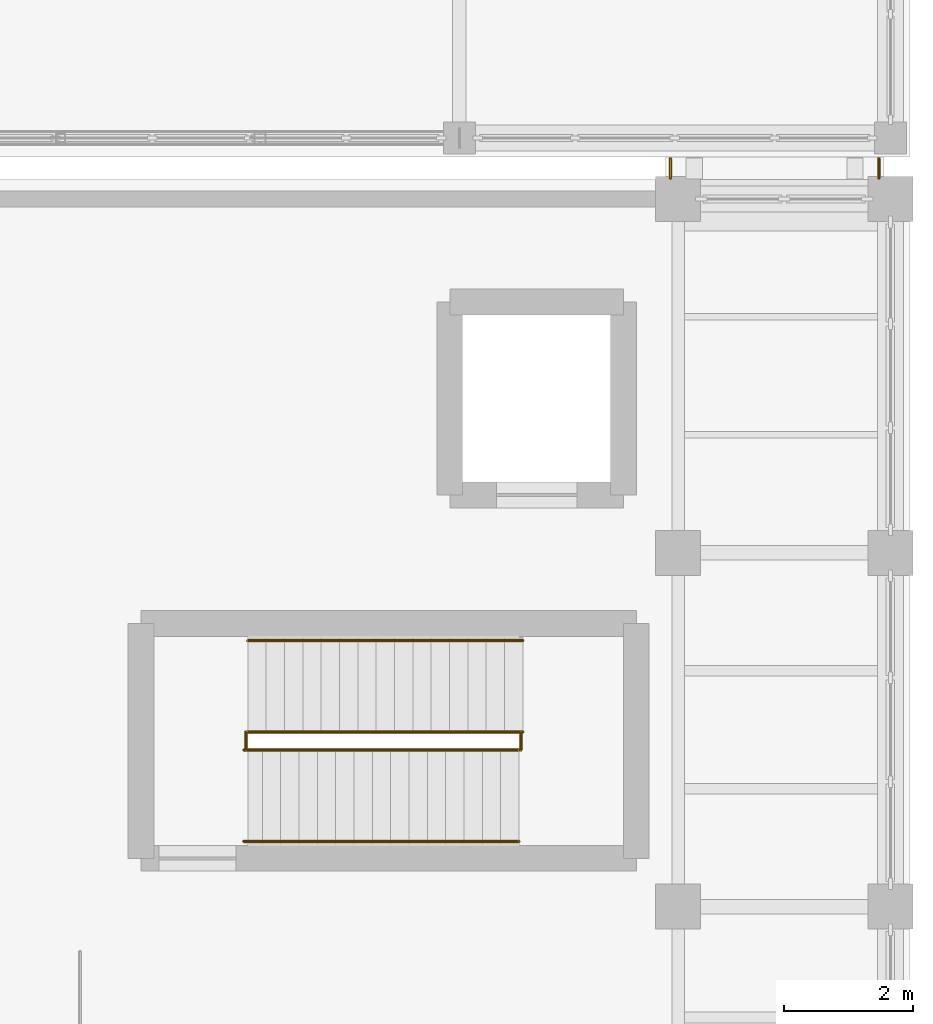
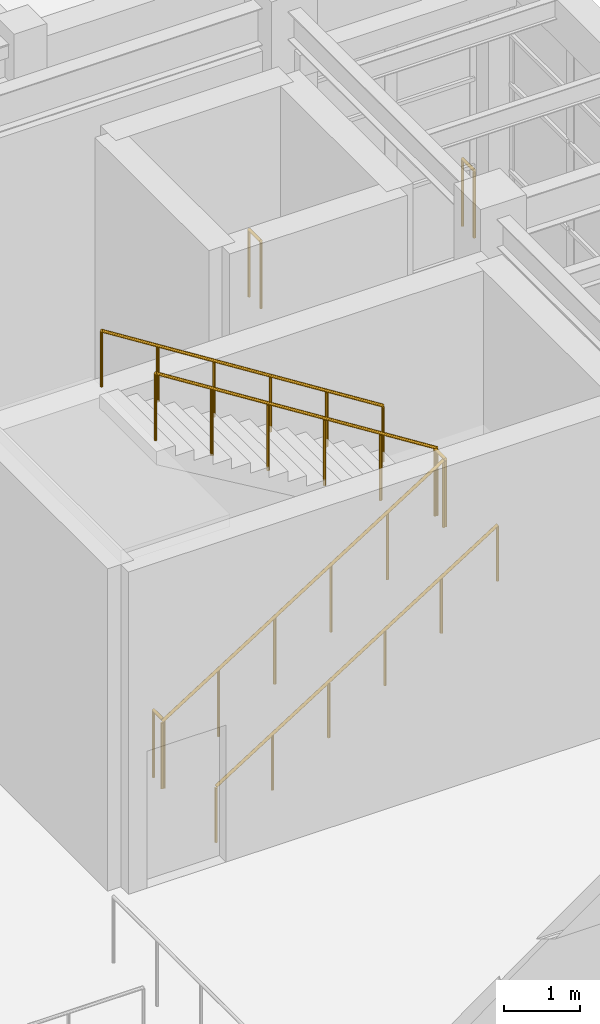
# One storey, part 102 of 103: 8 railings.
"""IFC4 building model written with IfcOpenShell, lengths in metres."""

from ifc_helpers import new_model, si_unit, direction, frame, origin, origin_2d, place, context, subcontext, project, spatial, circle, extrude, material, type_object, element, save


model = new_model("IFC4")

# Units and contexts
model_context = context("Model", 3, precision=1e-05, world=origin(), true_north=direction((0.0, 1.0)))
body_context = subcontext(model_context, "Body", "Model", "MODEL_VIEW")
ifc_project = project(units=[si_unit("LENGTHUNIT", "METRE"), si_unit("AREAUNIT", "SQUARE_METRE"), si_unit("VOLUMEUNIT", "CUBIC_METRE"), si_unit("PLANEANGLEUNIT", "RADIAN"), si_unit("MASSUNIT", "GRAM", prefix="KILO")], contexts=[model_context])

# Site, building, storey
site_placement = place(None, origin())
site = spatial("IfcSite", under=ifc_project, at=site_placement, CompositionType="ELEMENT")
building_placement = place(site_placement, origin())
building = spatial("IfcBuilding", under=site, at=building_placement, Name="Candilejo Ridge Gondola Terminal", CompositionType="ELEMENT")
storey_placement = place(building_placement, frame((0.0, 0.0, 9.0)))
storey = spatial("IfcBuildingStorey", under=building, at=storey_placement, Name="L02", CompositionType="ELEMENT", Elevation=9.0)

# Railings
ifc_material_1 = material(Name="Hot-dip galvanised steel ASTM A500 Grade B", Category="steel")
railing_type_1 = type_object("IfcRailingType", Name="ARC-GUARD-GLASS-1150", PredefinedType="GUARDRAIL", material=ifc_material_1)
for number, where, name in (
    (1, (171.8798828125, 48.02001953125, 0.0), "Link bridge guard LB-SJ4-L02-W"),
    (2, (175.1201171875, 48.02001953125, 0.0), "Link bridge guard LB-SJ4-L02-E"),
):
    element("IfcRailing", number, at=place(storey_placement, frame(where)), inside=storey, type_object=railing_type_1, Name=name, PredefinedType="GUARDRAIL", context=body_context, shape_type="SweptSolid", body=[
        extrude(circle(Radius=0.02392578125, at=origin_2d()), frame((0.0, 0.0, 1.076171875), z_axis=(0.0, 1.0, 0.0), x_axis=(-1.0, 0.0, 0.0)), (0.0, 0.0, 1.0), 0.31005859375),
        extrude(circle(Radius=0.02099609375, at=origin_2d()), origin(), (0.0, 0.0, 1.0), 1.052001953125),
        extrude(circle(Radius=0.02099609375, at=origin_2d()), frame((0.0, 0.31005859375, 0.0)), (0.0, 0.0, 1.0), 1.052001953125),
    ])
ifc_material_2 = material(Name="Hot-dip galvanised steel ASTM A500 Grade B", Category="steel")
railing_type_2 = type_object("IfcRailingType", Name="ARC-STAIR-GUARD-1100", PredefinedType="GUARDRAIL", material=ifc_material_2)
railing_1_placement = place(storey_placement, frame((165.280029296875, 39.135009765625, 0.0)))
element("IfcRailing", 3, at=railing_1_placement, inside=storey, type_object=railing_type_2, Name="Arrival well guard ST-V4B-L01-ARR-L02", PredefinedType="GUARDRAIL", context=body_context, shape_type="SweptSolid", body=[
    extrude(circle(Radius=0.02392578125, at=origin_2d()), frame((0.0, 0.0, 1.076171875), z_axis=(0.0, 1.0, 0.0), x_axis=(-1.0, 0.0, 0.0)), (0.0, 0.0, 1.0), 0.280029296875),
    extrude(circle(Radius=0.02099609375, at=origin_2d()), origin(), (0.0, 0.0, 1.0), 1.052001953125),
    extrude(circle(Radius=0.02099609375, at=origin_2d()), frame((0.0, 0.280029296875, 0.0)), (0.0, 0.0, 1.0), 1.052001953125),
])
railing_2_placement = place(storey_placement, frame((165.25, 39.135009765625, 0.0)))
element("IfcRailing", 4, at=railing_2_placement, inside=storey, type_object=railing_type_2, Name="Flight well guard ST-V4B-F05", PredefinedType="GUARDRAIL", context=body_context, shape_type="SweptSolid", body=[
    extrude(circle(Radius=0.02392578125, at=origin_2d()), frame((0.0, 0.0, 1.076171875), z_axis=(0.845487755639, 0.0, 0.533994808088), x_axis=(0.0, 1.0, 0.0)), (0.0, 0.0, 1.0), 5.05615234375),
    extrude(circle(Radius=0.02099609375, at=origin_2d()), origin(), (0.0, 0.0, 1.0), 1.052001953125),
    extrude(circle(Radius=0.02099609375, at=origin_2d()), frame((0.85498046875, 0.0, 0.5400390625)), (0.0, 0.0, 1.0), 1.052001953125),
    extrude(circle(Radius=0.02099609375, at=origin_2d()), frame((1.7099609375, 0.0, 1.080078125)), (0.0, 0.0, 1.0), 1.052001953125),
    extrude(circle(Radius=0.02099609375, at=origin_2d()), frame((2.56494140625, 0.0, 1.619873046875)), (0.0, 0.0, 1.0), 1.052001953125),
    extrude(circle(Radius=0.02099609375, at=origin_2d()), frame((3.419921875, 0.0, 2.159912109375)), (0.0, 0.0, 1.0), 1.052001953125),
    extrude(circle(Radius=0.02099609375, at=origin_2d()), frame((4.27490234375, 0.0, 2.699951171875)), (0.0, 0.0, 1.0), 1.052001953125),
])
railing_3_placement = place(storey_placement, frame((169.554931640625, 39.135009765625, 2.699951171875)))
element("IfcRailing", 5, at=railing_3_placement, inside=storey, type_object=railing_type_2, Name="Half-landing slot guard ST-V4B-LND-03", PredefinedType="GUARDRAIL", context=body_context, shape_type="SweptSolid", body=[
    extrude(circle(Radius=0.02392578125, at=origin_2d()), frame((0.0, 0.0, 1.076171875), z_axis=(0.0, 1.0, 0.0), x_axis=(-1.0, 0.0, 0.0)), (0.0, 0.0, 1.0), 0.280029296875),
    extrude(circle(Radius=0.02099609375, at=origin_2d()), origin(), (0.0, 0.0, 1.0), 1.052001953125),
    extrude(circle(Radius=0.02099609375, at=origin_2d()), frame((0.0, 0.280029296875, 0.0)), (0.0, 0.0, 1.0), 1.052001953125),
])
railing_4_placement = place(storey_placement, frame((169.5849609375, 39.4150390625, 2.699951171875)))
element("IfcRailing", 6, at=railing_4_placement, inside=storey, type_object=railing_type_2, Name="Flight well guard ST-V4B-F06", PredefinedType="GUARDRAIL", context=body_context, shape_type="SweptSolid", body=[
    extrude(circle(Radius=0.02392578125, at=origin_2d()), frame((0.0, 0.0, 1.076171875), z_axis=(-0.845487755639, 0.0, 0.533994808088), x_axis=(0.0, -1.0, 0.0)), (0.0, 0.0, 1.0), 5.05615234375),
    extrude(circle(Radius=0.02099609375, at=origin_2d()), origin(), (0.0, 0.0, 1.0), 1.052001953125),
    extrude(circle(Radius=0.02099609375, at=origin_2d()), frame((-0.85498046875, 0.0, 0.5400390625)), (0.0, 0.0, 1.0), 1.052001953125),
    extrude(circle(Radius=0.02099609375, at=origin_2d()), frame((-1.7099609375, 0.0, 1.080078125)), (0.0, 0.0, 1.0), 1.052001953125),
    extrude(circle(Radius=0.02099609375, at=origin_2d()), frame((-2.56494140625, 0.0, 1.619873046875)), (0.0, 0.0, 1.0), 1.052001953125),
    extrude(circle(Radius=0.02099609375, at=origin_2d()), frame((-3.419921875, 0.0, 2.159912109375)), (0.0, 0.0, 1.0), 1.052001953125),
    extrude(circle(Radius=0.02099609375, at=origin_2d()), frame((-4.27490234375, 0.0, 2.699951171875)), (0.0, 0.0, 1.0), 1.052001953125),
])
ifc_material_3 = material(Name="Brushed stainless steel AISI 316", Category="steel")
railing_type_3 = type_object("IfcRailingType", Name="ARC-STAIR-HANDRAIL-920", PredefinedType="HANDRAIL", material=ifc_material_3)
railing_5_placement = place(storey_placement, frame((165.25, 37.715087890625, 0.0)))
element("IfcRailing", 7, at=railing_5_placement, inside=storey, type_object=railing_type_3, Name="Wall handrail ST-V4B-F05", PredefinedType="HANDRAIL", context=body_context, shape_type="SweptSolid", body=[
    extrude(circle(Radius=0.02392578125, at=origin_2d()), frame((0.0, 0.0, 0.89599609375), z_axis=(0.845487755639, 0.0, 0.533994808088), x_axis=(0.0, 1.0, 0.0)), (0.0, 0.0, 1.0), 5.05615234375),
    extrude(circle(Radius=0.02099609375, at=origin_2d()), origin(), (0.0, 0.0, 1.0), 0.871826171875),
    extrude(circle(Radius=0.02099609375, at=origin_2d()), frame((0.85498046875, 0.0, 0.5400390625)), (0.0, 0.0, 1.0), 0.871826171875),
    extrude(circle(Radius=0.02099609375, at=origin_2d()), frame((1.7099609375, 0.0, 1.080078125)), (0.0, 0.0, 1.0), 0.871826171875),
    extrude(circle(Radius=0.02099609375, at=origin_2d()), frame((2.56494140625, 0.0, 1.619873046875)), (0.0, 0.0, 1.0), 0.871826171875),
    extrude(circle(Radius=0.02099609375, at=origin_2d()), frame((3.419921875, 0.0, 2.159912109375)), (0.0, 0.0, 1.0), 0.871826171875),
    extrude(circle(Radius=0.02099609375, at=origin_2d()), frame((4.27490234375, 0.0, 2.699951171875)), (0.0, 0.0, 1.0), 0.871826171875),
])
railing_6_placement = place(storey_placement, frame((169.5849609375, 40.8349609375, 2.699951171875)))
element("IfcRailing", 8, at=railing_6_placement, inside=storey, type_object=railing_type_3, Name="Wall handrail ST-V4B-F06", PredefinedType="HANDRAIL", context=body_context, shape_type="SweptSolid", body=[
    extrude(circle(Radius=0.02392578125, at=origin_2d()), frame((0.0, 0.0, 0.89599609375), z_axis=(-0.845487755639, 0.0, 0.533994808088), x_axis=(0.0, -1.0, 0.0)), (0.0, 0.0, 1.0), 5.05615234375),
    extrude(circle(Radius=0.02099609375, at=origin_2d()), origin(), (0.0, 0.0, 1.0), 0.871826171875),
    extrude(circle(Radius=0.02099609375, at=origin_2d()), frame((-0.85498046875, 0.0, 0.5400390625)), (0.0, 0.0, 1.0), 0.871826171875),
    extrude(circle(Radius=0.02099609375, at=origin_2d()), frame((-1.7099609375, 0.0, 1.080078125)), (0.0, 0.0, 1.0), 0.871826171875),
    extrude(circle(Radius=0.02099609375, at=origin_2d()), frame((-2.56494140625, 0.0, 1.619873046875)), (0.0, 0.0, 1.0), 0.871826171875),
    extrude(circle(Radius=0.02099609375, at=origin_2d()), frame((-3.419921875, 0.0, 2.159912109375)), (0.0, 0.0, 1.0), 0.871826171875),
    extrude(circle(Radius=0.02099609375, at=origin_2d()), frame((-4.27490234375, 0.0, 2.699951171875)), (0.0, 0.0, 1.0), 0.871826171875),
])

save(model, "model.ifc")
